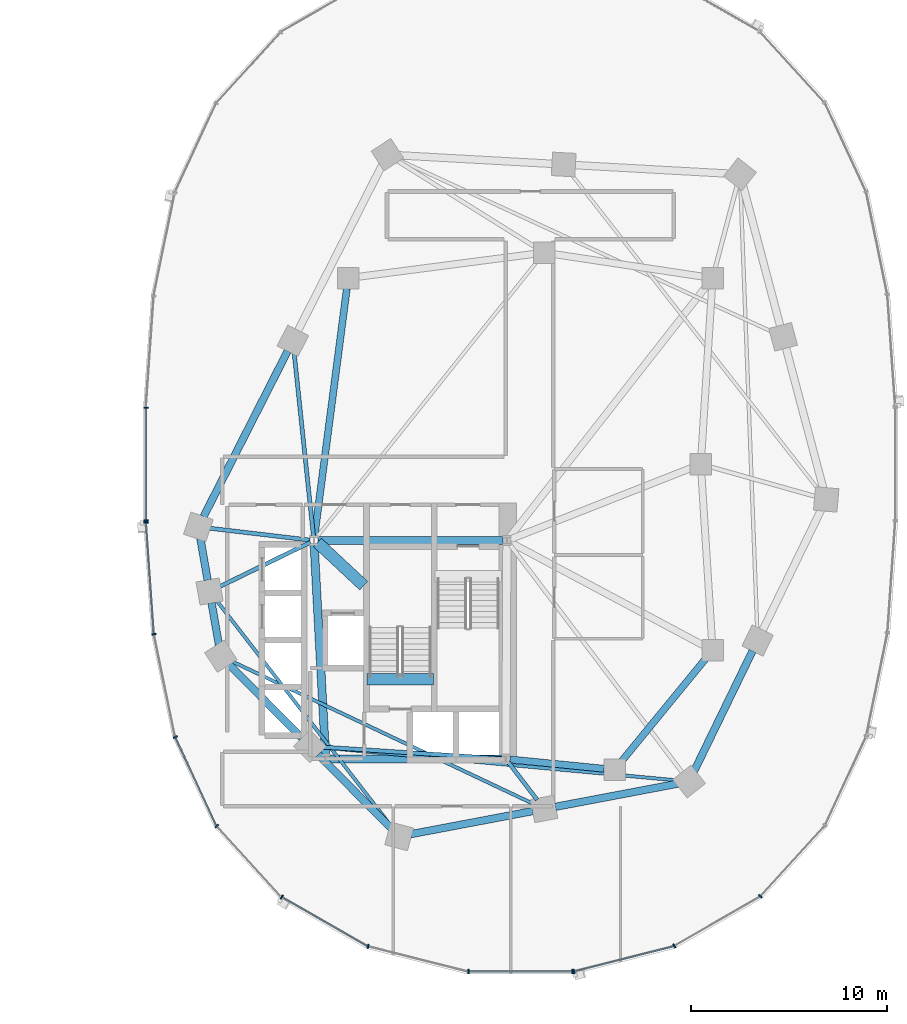
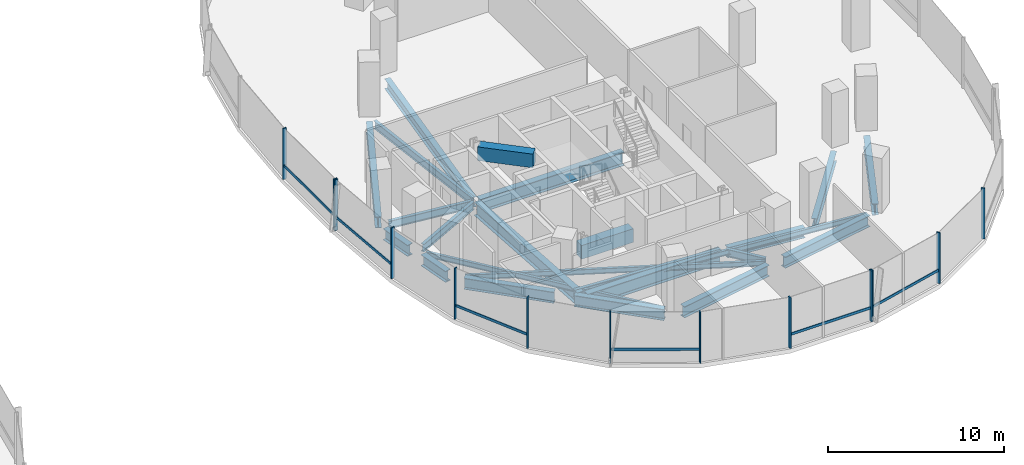
# One storey, part 5 of 21: 24 beams, 19 members, 3 elements without a shape of their own.
"""IFC4 building model written with IfcOpenShell, lengths in metres."""

from ifc_helpers import new_model, si_unit, direction, frame, origin, origin_2d, place, context, subcontext, project, spatial, rectangle, i_section, extrude, material, material_profile, profile_set, type_object, element, aggregate, save


model = new_model("IFC4")

# Units and contexts
model_context = context("Model", 3, precision=1e-05, world=origin(), true_north=direction((0.0, 1.0)))
body_context = subcontext(model_context, "Body", "Model", "MODEL_VIEW")
ifc_project = project(units=[si_unit("LENGTHUNIT", "METRE"), si_unit("AREAUNIT", "SQUARE_METRE"), si_unit("VOLUMEUNIT", "CUBIC_METRE"), si_unit("PLANEANGLEUNIT", "RADIAN"), si_unit("MASSUNIT", "GRAM", prefix="KILO"), si_unit("THERMODYNAMICTEMPERATUREUNIT", "KELVIN"), si_unit("POWERUNIT", "WATT")], contexts=[model_context])

# Site, building, storey
site_placement = place(None, origin())
site = spatial("IfcSite", under=ifc_project, at=site_placement, CompositionType="ELEMENT")
building_placement = place(site_placement, origin())
building = spatial("IfcBuilding", under=site, at=building_placement, Name="Cundina Bronze Exchange", CompositionType="ELEMENT")
storey_placement = place(building_placement, frame((0.0, 0.0, 73.39990234375)))
storey = spatial("IfcBuildingStorey", under=building, at=storey_placement, Name="L18", CompositionType="ELEMENT", Elevation=73.39990234375)

# Beams
ifc_material_1 = material(Name="Concrete C60/75", Category="concrete")
ifc_material_profile_1 = material_profile(ifc_material_1, rectangle(XDim=0.60009765625, YDim=0.949951171875, at=origin_2d()), Name="RC600X950", Category="concrete")
ifc_profile_set_1 = profile_set([ifc_material_profile_1], Name="Concrete C60/75")
beam_type_1 = type_object("IfcBeamType", Name="BM-COUP-RC950", PredefinedType="LINTEL", material=ifc_profile_set_1)
beam_1_placement = place(storey_placement, frame((24.159912109375, -10.97998046875, -0.474853515625), z_axis=(1.0, 0.0, 0.0), x_axis=(0.0, 1.0, 0.0)))
element("IfcBeam", 1, at=beam_1_placement, inside=storey, type_object=beam_type_1, Name="L18 Stair E2 Landing Header Beam", PredefinedType="LINTEL", context=body_context, shape_type="SweptSolid", body=[
    extrude(rectangle(XDim=0.60009765625, YDim=0.949951171875, at=origin_2d()), origin(), (0.0, 0.0, 1.0), 3.400146484375),
])
beam_2_placement = place(storey_placement, frame((21.6298828125, -4.0, 3.045166015625), z_axis=(0.731490439815, -0.681851696822, 0.0), x_axis=(0.681851696822, 0.731490439815, 0.0)))
element("IfcBeam", 2, at=beam_2_placement, inside=storey, type_object=beam_type_1, Name="L18 E Core Shear Coupling Lintel Beam", PredefinedType="LINTEL", context=body_context, shape_type="SweptSolid", body=[
    extrude(rectangle(XDim=0.60009765625, YDim=0.949951171875, at=origin_2d()), origin(), (0.0, 0.0, 1.0), 3.226318359375),
])
ifc_material_2 = material(Name="Steel ASTM A992 Grade 50", Category="steel")
ifc_material_profile_2 = material_profile(ifc_material_2, i_section(OverallWidth=0.2099609375, OverallDepth=0.532958984375, WebThickness=0.01025390625, FlangeThickness=0.015625, FilletRadius=0.013916015625, at=origin_2d()), Name="W21X62", Category="steel")
ifc_profile_set_2 = profile_set([ifc_material_profile_2], Name="Steel ASTM A992 Grade 50")
beam_type_2 = type_object("IfcBeamType", Name="BM-FLR-W21B", PredefinedType="BEAM", material=ifc_profile_set_2)
beam_3_placement = place(storey_placement, frame((21.247314453125, -3.8759765625, -0.56640625), z_axis=(-0.993035236117, 0.117817739878, 0.0), x_axis=(-0.117817739878, -0.993035236117, 0.0)))
element("IfcBeam", 3, at=beam_3_placement, inside=storey, type_object=beam_type_2, Name="L18 Leg E Chordal Floor Beam 00", PredefinedType="BEAM", context=body_context, shape_type="SweptSolid", body=[
    extrude(i_section(OverallWidth=0.2099609375, OverallDepth=0.532958984375, WebThickness=0.01025390625, FlangeThickness=0.015625, FilletRadius=0.013916015625, at=origin_2d()), origin(), (0.0, 0.0, 1.0), 5.1494140625),
])
beam_4_placement = place(storey_placement, frame((21.2666015625, -3.989501953125, -0.56640625), z_axis=(-0.898610249448, -0.438747785849, 0.0), x_axis=(0.438747785849, -0.898610249448, 0.0)))
element("IfcBeam", 4, at=beam_4_placement, inside=storey, type_object=beam_type_2, Name="L18 Leg E Chordal Floor Beam 01", PredefinedType="BEAM", context=body_context, shape_type="SweptSolid", body=[
    extrude(i_section(OverallWidth=0.2099609375, OverallDepth=0.532958984375, WebThickness=0.01025390625, FlangeThickness=0.015625, FilletRadius=0.013916015625, at=origin_2d()), origin(), (0.0, 0.0, 1.0), 5.1337890625),
])
beam_5_placement = place(storey_placement, frame((31.04638671875, -15.036865234375, -0.56640625), z_axis=(-0.99789233798, 0.064891307594, 0.0), x_axis=(-0.064891307594, -0.99789233798, 0.0)))
element("IfcBeam", 5, at=beam_5_placement, inside=storey, type_object=beam_type_2, Name="L18 Leg E Chordal Floor Beam 03", PredefinedType="BEAM", context=body_context, shape_type="SweptSolid", body=[
    extrude(i_section(OverallWidth=0.2099609375, OverallDepth=0.532958984375, WebThickness=0.01025390625, FlangeThickness=0.015625, FilletRadius=0.013916015625, at=origin_2d()), origin(), (0.0, 0.0, 1.0), 9.22900390625),
])
beam_6_placement = place(storey_placement, frame((31.373779296875, -15.2119140625, -0.56640625), z_axis=(0.607468844289, -0.794343504548, 0.0), x_axis=(0.794343504548, 0.607468844289, 0.0)))
element("IfcBeam", 6, at=beam_6_placement, inside=storey, type_object=beam_type_2, Name="L18 Leg E Chordal Floor Beam 05", PredefinedType="BEAM", context=body_context, shape_type="SweptSolid", body=[
    extrude(i_section(OverallWidth=0.2099609375, OverallDepth=0.532958984375, WebThickness=0.01025390625, FlangeThickness=0.015625, FilletRadius=0.013916015625, at=origin_2d()), origin(), (0.0, 0.0, 1.0), 2.418212890625),
])
beam_7_placement = place(storey_placement, frame((21.4287109375, -3.697021484375, -0.56640625), z_axis=(-0.10483517787, 0.994489610544, 0.0), x_axis=(-0.994489610544, -0.10483517787, 0.0)))
element("IfcBeam", 7, at=beam_7_placement, inside=storey, type_object=beam_type_2, Name="L18 Leg E Chordal Floor Beam 13", PredefinedType="BEAM", context=body_context, shape_type="SweptSolid", body=[
    extrude(i_section(OverallWidth=0.2099609375, OverallDepth=0.532958984375, WebThickness=0.01025390625, FlangeThickness=0.015625, FilletRadius=0.013916015625, at=origin_2d()), origin(), (0.0, 0.0, 1.0), 9.46435546875),
])
ifc_material_profile_3 = material_profile(ifc_material_2, i_section(OverallWidth=0.172119140625, OverallDepth=0.35791015625, WebThickness=0.0078125, FlangeThickness=0.01318359375, FilletRadius=0.010009765625, at=origin_2d()), Name="W14X38", Category="steel")
ifc_profile_set_3 = profile_set([ifc_material_profile_3], Name="Steel ASTM A992 Grade 50")
beam_type_3 = type_object("IfcBeamType", Name="BM-JST-W14", PredefinedType="JOIST", material=ifc_profile_set_3)
beam_8_placement = place(storey_placement, frame((16.48486328125, -6.965087890625, -0.47900390625), z_axis=(0.612089386305, -0.790788583108, 0.0), x_axis=(0.790788583108, 0.612089386305, 0.0)))
element("IfcBeam", 8, at=beam_8_placement, inside=storey, type_object=beam_type_3, Name="L18 Leg E Lobe Floor Joist 01-04", PredefinedType="JOIST", context=body_context, shape_type="SweptSolid", body=[
    extrude(i_section(OverallWidth=0.172119140625, OverallDepth=0.35791015625, WebThickness=0.0078125, FlangeThickness=0.01318359375, FilletRadius=0.010009765625, at=origin_2d()), origin(), (0.0, 0.0, 1.0), 14.630859375),
])
beam_9_placement = place(storey_placement, frame((17.231689453125, -10.05126953125, -0.47900390625), z_axis=(0.904072668297, -0.427378766949, 0.0), x_axis=(0.427378766949, 0.904072668297, 0.0)))
element("IfcBeam", 9, at=beam_9_placement, inside=storey, type_object=beam_type_3, Name="L18 Leg E Lobe Floor Joist 02-05", PredefinedType="JOIST", context=body_context, shape_type="SweptSolid", body=[
    extrude(i_section(OverallWidth=0.172119140625, OverallDepth=0.35791015625, WebThickness=0.0078125, FlangeThickness=0.01318359375, FilletRadius=0.010009765625, at=origin_2d()), origin(), (0.0, 0.0, 1.0), 17.07470703125),
])
beam_10_placement = place(storey_placement, frame((21.83544921875, -14.45458984375, -0.47900390625), z_axis=(0.995701961644, -0.09261535282, 0.0), x_axis=(0.09261535282, 0.995701961644, 0.0)))
element("IfcBeam", 10, at=beam_10_placement, inside=storey, type_object=beam_type_3, Name="L18 Leg E Lobe Floor Joist 03-06", PredefinedType="JOIST", context=body_context, shape_type="SweptSolid", body=[
    extrude(i_section(OverallWidth=0.172119140625, OverallDepth=0.35791015625, WebThickness=0.0078125, FlangeThickness=0.01318359375, FilletRadius=0.010009765625, at=origin_2d()), origin(), (0.0, 0.0, 1.0), 18.25732421875),
])
ifc_material_profile_4 = material_profile(ifc_material_2, i_section(OverallWidth=0.35498046875, OverallDepth=0.695068359375, WebThickness=0.015380859375, FlangeThickness=0.02490234375, FilletRadius=0.01806640625, at=origin_2d()), Name="W27X146", Category="steel")
ifc_profile_set_4 = profile_set([ifc_material_profile_4], Name="Steel ASTM A992 Grade 50")
beam_type_4 = type_object("IfcBeamType", Name="BM-RING-W27", PredefinedType="USERDEFINED", material=ifc_profile_set_4)
beam_11_placement = place(storey_placement, frame((31.452880859375, -15.070068359375, -0.6474609375), z_axis=(0.995126271817, -0.098608839051, 0.0), x_axis=(0.098608839051, 0.995126271817, 0.0)))
element("IfcBeam", 11, at=beam_11_placement, inside=storey, type_object=beam_type_4, Name="L18 E Inner Structural Ring Girder 01", ObjectType="GIRDER", PredefinedType="USERDEFINED", context=body_context, shape_type="SweptSolid", body=[
    extrude(i_section(OverallWidth=0.35498046875, OverallDepth=0.695068359375, WebThickness=0.015380859375, FlangeThickness=0.02490234375, FilletRadius=0.01806640625, at=origin_2d()), origin(), (0.0, 0.0, 1.0), 4.83544921875),
])
beam_12_placement = place(storey_placement, frame((37.14111328125, -15.183837890625, -0.6474609375), z_axis=(0.633926549035, 0.773393257295, 0.0), x_axis=(-0.773393257295, 0.633926549035, 0.0)))
element("IfcBeam", 12, at=beam_12_placement, inside=storey, type_object=beam_type_4, Name="L18 E Inner Structural Ring Girder 02", ObjectType="GIRDER", PredefinedType="USERDEFINED", context=body_context, shape_type="SweptSolid", body=[
    extrude(i_section(OverallWidth=0.35498046875, OverallDepth=0.695068359375, WebThickness=0.015380859375, FlangeThickness=0.02490234375, FilletRadius=0.01806640625, at=origin_2d()), origin(), (0.0, 0.0, 1.0), 6.811279296875),
])
beam_13_placement = place(storey_placement, frame((23.13037109375, 8.966552734375, -0.6474609375), z_axis=(-0.129507526533, -0.99157843894, 0.0), x_axis=(0.99157843894, -0.129507526533, 0.0)))
element("IfcBeam", 13, at=beam_13_placement, inside=storey, type_object=beam_type_4, Name="L18 E Inner Structural Ring Girder 07", ObjectType="GIRDER", PredefinedType="USERDEFINED", context=body_context, shape_type="SweptSolid", body=[
    extrude(i_section(OverallWidth=0.35498046875, OverallDepth=0.695068359375, WebThickness=0.015380859375, FlangeThickness=0.02490234375, FilletRadius=0.01806640625, at=origin_2d()), origin(), (0.0, 0.0, 1.0), 12.77197265625),
])
ifc_material_profile_5 = material_profile(ifc_material_2, i_section(OverallWidth=0.381103515625, OverallDepth=0.77294921875, WebThickness=0.0166015625, FlangeThickness=0.027099609375, FilletRadius=0.01904296875, at=origin_2d()), Name="W30X173", Category="steel")
ifc_profile_set_5 = profile_set([ifc_material_profile_5], Name="Steel ASTM A992 Grade 50")
beam_type_5 = type_object("IfcBeamType", Name="BM-RING-W30", PredefinedType="USERDEFINED", material=ifc_profile_set_5)
for number, where, z_axis, x_axis, name in (
    (14, (15.65087890625, -3.779296875, -0.6865234375), (0.171734584051, -0.985143254883, 0.0), (0.985143254883, 0.171734584051, 0.0), "L18 E Perimeter Ring Girder 00"),
    (15, (16.225830078125, -7.079345703125, -0.6865234375), (0.171734584051, -0.985143254883, 0.0), (0.985143254883, 0.171734584051, 0.0), "L18 E Perimeter Ring Girder 01"),
):
    element("IfcBeam", number, at=place(storey_placement, frame(where, z_axis=z_axis, x_axis=x_axis)), inside=storey, type_object=beam_type_5, Name=name, ObjectType="GIRDER", PredefinedType="USERDEFINED", context=body_context, shape_type="SweptSolid", body=[
        extrude(i_section(OverallWidth=0.381103515625, OverallDepth=0.77294921875, WebThickness=0.0166015625, FlangeThickness=0.027099609375, FilletRadius=0.01904296875, at=origin_2d()), origin(), (0.0, 0.0, 1.0), 2.173583984375),
    ])
for number, where, z_axis, x_axis, name in (
    (16, (17.113525390625, -10.218017578125, -0.6865234375), (0.703222428859, -0.710969911845, 0.0), (0.710969911845, 0.703222428859, 0.0), "L18 E Perimeter Ring Girder 02"),
    (17, (21.66357421875, -14.818115234375, -0.6865234375), (0.703222428859, -0.710969911845, 0.0), (0.710969911845, 0.703222428859, 0.0), "L18 E Perimeter Ring Girder 03"),
):
    element("IfcBeam", number, at=place(storey_placement, frame(where, z_axis=z_axis, x_axis=x_axis)), inside=storey, type_object=beam_type_5, Name=name, ObjectType="GIRDER", PredefinedType="USERDEFINED", context=body_context, shape_type="SweptSolid", body=[
        extrude(i_section(OverallWidth=0.381103515625, OverallDepth=0.77294921875, WebThickness=0.0166015625, FlangeThickness=0.027099609375, FilletRadius=0.01904296875, at=origin_2d()), origin(), (0.0, 0.0, 1.0), 5.2939453125),
    ])
beam_14_placement = place(storey_placement, frame((26.377685546875, -18.890625, -0.6865234375), z_axis=(0.982570814598, 0.185888661031, 0.0), x_axis=(-0.185888661031, 0.982570814598, 0.0)))
element("IfcBeam", 18, at=beam_14_placement, inside=storey, type_object=beam_type_5, Name="L18 E Perimeter Ring Girder 04", ObjectType="GIRDER", PredefinedType="USERDEFINED", context=body_context, shape_type="SweptSolid", body=[
    extrude(i_section(OverallWidth=0.381103515625, OverallDepth=0.77294921875, WebThickness=0.0166015625, FlangeThickness=0.027099609375, FilletRadius=0.01904296875, at=origin_2d()), origin(), (0.0, 0.0, 1.0), 6.35546875),
])
beam_15_placement = place(storey_placement, frame((33.77783203125, -17.49072265625, -0.6865234375), z_axis=(0.982569487119, 0.185895677686, 0.0), x_axis=(-0.185895677686, 0.982569487119, 0.0)))
element("IfcBeam", 19, at=beam_15_placement, inside=storey, type_object=beam_type_5, Name="L18 E Perimeter Ring Girder 05", ObjectType="GIRDER", PredefinedType="USERDEFINED", context=body_context, shape_type="SweptSolid", body=[
    extrude(i_section(OverallWidth=0.381103515625, OverallDepth=0.77294921875, WebThickness=0.0166015625, FlangeThickness=0.027099609375, FilletRadius=0.01904296875, at=origin_2d()), origin(), (0.0, 0.0, 1.0), 6.355224609375),
])
beam_16_placement = place(storey_placement, frame((40.857177734375, -15.671142578125, -0.6865234375), z_axis=(0.437190698904, 0.899368830231, 0.0), x_axis=(-0.899368830231, 0.437190698904, 0.0)))
element("IfcBeam", 20, at=beam_16_placement, inside=storey, type_object=beam_type_5, Name="L18 E Perimeter Ring Girder 06", ObjectType="GIRDER", PredefinedType="USERDEFINED", context=body_context, shape_type="SweptSolid", body=[
    extrude(i_section(OverallWidth=0.381103515625, OverallDepth=0.77294921875, WebThickness=0.0166015625, FlangeThickness=0.027099609375, FilletRadius=0.01904296875, at=origin_2d()), origin(), (0.0, 0.0, 1.0), 6.82958984375),
])
beam_17_placement = place(storey_placement, frame((20.108642578125, 5.775634765625, -0.6865234375), z_axis=(-0.452819633606, -0.891602141889, 0.0), x_axis=(0.891602141889, -0.452819633606, 0.0)))
element("IfcBeam", 21, at=beam_17_placement, inside=storey, type_object=beam_type_5, Name="L18 E Perimeter Ring Girder 13", ObjectType="GIRDER", PredefinedType="USERDEFINED", context=body_context, shape_type="SweptSolid", body=[
    extrude(i_section(OverallWidth=0.381103515625, OverallDepth=0.77294921875, WebThickness=0.0166015625, FlangeThickness=0.027099609375, FilletRadius=0.01904296875, at=origin_2d()), origin(), (0.0, 0.0, 1.0), 9.47900390625),
])
ifc_material_profile_6 = material_profile(ifc_material_2, i_section(OverallWidth=0.41796875, OverallDepth=0.927001953125, WebThickness=0.019287109375, FlangeThickness=0.031982421875, FilletRadius=0.02392578125, at=origin_2d()), Name="W36X231", Category="steel")
ifc_profile_set_6 = profile_set([ifc_material_profile_6], Name="Steel ASTM A992 Grade 50")
beam_type_6 = type_object("IfcBeamType", Name="BM-WRN-W36B", PredefinedType="USERDEFINED", material=ifc_profile_set_6)
beam_18_placement = place(storey_placement, frame((31.095947265625, -3.89990234375, -0.763427734375), z_axis=(-1.0, 0.0, 0.0), x_axis=(0.0, -1.0, 0.0)))
element("IfcBeam", 22, at=beam_18_placement, inside=storey, type_object=beam_type_6, Name="L18 E Core Perimeter Tie Girder 1", ObjectType="GIRDER", PredefinedType="USERDEFINED", context=body_context, shape_type="SweptSolid", body=[
    extrude(i_section(OverallWidth=0.41796875, OverallDepth=0.927001953125, WebThickness=0.019287109375, FlangeThickness=0.031982421875, FilletRadius=0.02392578125, at=origin_2d()), origin(), (0.0, 0.0, 1.0), 9.44189453125),
])
beam_19_placement = place(storey_placement, frame((21.4609375, -4.103759765625, -0.763427734375), z_axis=(0.053739193498, -0.998555005537, 0.0), x_axis=(0.998555005537, 0.053739193498, 0.0)))
element("IfcBeam", 23, at=beam_19_placement, inside=storey, type_object=beam_type_6, Name="L18 E Core Perimeter Tie Girder 2", ObjectType="GIRDER", PredefinedType="USERDEFINED", context=body_context, shape_type="SweptSolid", body=[
    extrude(i_section(OverallWidth=0.41796875, OverallDepth=0.927001953125, WebThickness=0.019287109375, FlangeThickness=0.031982421875, FilletRadius=0.02392578125, at=origin_2d()), origin(), (0.0, 0.0, 1.0), 10.758056640625),
])
beam_20_placement = place(storey_placement, frame((22.25390625, -15.050048828125, -0.763427734375), z_axis=(1.0, 0.0, 0.0), x_axis=(0.0, 1.0, 0.0)))
element("IfcBeam", 24, at=beam_20_placement, inside=storey, type_object=beam_type_6, Name="L18 E Core Perimeter Tie Girder 3", ObjectType="GIRDER", PredefinedType="USERDEFINED", context=body_context, shape_type="SweptSolid", body=[
    extrude(i_section(OverallWidth=0.41796875, OverallDepth=0.927001953125, WebThickness=0.019287109375, FlangeThickness=0.031982421875, FilletRadius=0.02392578125, at=origin_2d()), origin(), (0.0, 0.0, 1.0), 8.7919921875),
])

# Curtain wall, members
ifc_material_3 = material(Name="Anodised Bronze Aluminium 6063-T6", Category="aluminium")
curtain_wall_type = type_object("IfcCurtainWallType", Name="CWS-TRD-LOW", PredefinedType="NOTDEFINED", material=ifc_material_3)
curtain_wall_1_placement = place(storey_placement, origin())
curtain_wall_1 = element("IfcCurtainWall", 25, at=curtain_wall_1_placement, inside=storey, type_object=curtain_wall_type, Name="L18 CW-02 Curtain Wall Run CWR-L18-E2", PredefinedType="NOTDEFINED")
ifc_material_profile_7 = material_profile(ifc_material_3, rectangle(XDim=0.074951171875, YDim=0.219970703125, at=origin_2d()), Name="AL75X220", Category="aluminium")
ifc_profile_set_7 = profile_set([ifc_material_profile_7], Name="Anodised Bronze Aluminium 6063-T6")
member_type_1 = type_object("IfcMemberType", Name="CWM-MUL-220", PredefinedType="MULLION", material=ifc_profile_set_7)
member_1_placement = place(storey_placement, frame((12.8720703125, 2.880615234375, 0.0), z_axis=(0.0, 0.0, 1.0), x_axis=(0.0, -1.0, 0.0)))
member_1 = element("IfcMember", 26, at=member_1_placement, type_object=member_type_1, Name="CW-02 Mullion 7", PredefinedType="MULLION", context=body_context, shape_type="SweptSolid", body=[
    extrude(rectangle(XDim=0.074951171875, YDim=0.219970703125, at=origin_2d()), origin(), (0.0, 0.0, 1.0), 3.52001953125),
])
member_2_placement = place(storey_placement, frame((12.8720703125, -2.880615234375, 0.0), z_axis=(0.0, 0.0, 1.0), x_axis=(0.0, -1.0, 0.0)))
member_2 = element("IfcMember", 27, at=member_2_placement, type_object=member_type_1, Name="CW-02 End Mullion", PredefinedType="MULLION", context=body_context, shape_type="SweptSolid", body=[
    extrude(rectangle(XDim=0.074951171875, YDim=0.219970703125, at=origin_2d()), origin(), (0.0, 0.0, 1.0), 3.52001953125),
])

curtain_wall_2_placement = place(storey_placement, origin())
curtain_wall_2 = element("IfcCurtainWall", 28, at=curtain_wall_2_placement, inside=storey, type_object=curtain_wall_type, Name="L18 CW-02 Curtain Wall Run CWR-L18-E3", PredefinedType="NOTDEFINED")
member_3_placement = place(storey_placement, frame((12.87548828125, -2.976318359375, 0.0), z_axis=(0.0, 0.0, 1.0), x_axis=(0.070278787473, -0.997527389113, 0.0)))
member_3 = element("IfcMember", 29, at=member_3_placement, type_object=member_type_1, Name="CW-02 Mullion 1", PredefinedType="MULLION", context=body_context, shape_type="SweptSolid", body=[
    extrude(rectangle(XDim=0.074951171875, YDim=0.219970703125, at=origin_2d()), origin(), (0.0, 0.0, 1.0), 3.52001953125),
])
member_4_placement = place(storey_placement, frame((13.282958984375, -8.67822265625, 0.0), z_axis=(0.0, 0.0, 1.0), x_axis=(0.201419845156, -0.979505000486, 0.0)))
member_4 = element("IfcMember", 30, at=member_4_placement, type_object=member_type_1, Name="CW-02 Mullion 2", PredefinedType="MULLION", context=body_context, shape_type="SweptSolid", body=[
    extrude(rectangle(XDim=0.074951171875, YDim=0.219970703125, at=origin_2d()), origin(), (0.0, 0.0, 1.0), 3.52001953125),
])
member_5_placement = place(storey_placement, frame((14.3720703125, -13.931884765625, 0.0), z_axis=(0.0, 0.0, 1.0), x_axis=(0.42087749791, -0.907117485088, 0.0)))
member_5 = element("IfcMember", 31, at=member_5_placement, type_object=member_type_1, Name="CW-02 Mullion 3", PredefinedType="MULLION", context=body_context, shape_type="SweptSolid", body=[
    extrude(rectangle(XDim=0.074951171875, YDim=0.219970703125, at=origin_2d()), origin(), (0.0, 0.0, 1.0), 3.52001953125),
])
member_6_placement = place(storey_placement, frame((16.491455078125, -18.47705078125, 0.0), z_axis=(0.0, 0.0, 1.0), x_axis=(0.674302387584, -0.738455340626, 0.0)))
member_6 = element("IfcMember", 32, at=member_6_placement, type_object=member_type_1, Name="CW-02 Mullion 4", PredefinedType="MULLION", context=body_context, shape_type="SweptSolid", body=[
    extrude(rectangle(XDim=0.074951171875, YDim=0.219970703125, at=origin_2d()), origin(), (0.0, 0.0, 1.0), 3.52001953125),
])
member_7_placement = place(storey_placement, frame((19.810302734375, -22.097412109375, 0.0), z_axis=(0.0, 0.0, 1.0), x_axis=(0.867070701164, -0.498185105339, 0.0)))
member_7 = element("IfcMember", 33, at=member_7_placement, type_object=member_type_1, Name="CW-02 Mullion 5", PredefinedType="MULLION", context=body_context, shape_type="SweptSolid", body=[
    extrude(rectangle(XDim=0.074951171875, YDim=0.219970703125, at=origin_2d()), origin(), (0.0, 0.0, 1.0), 3.52001953125),
])
member_8_placement = place(storey_placement, frame((24.21484375, -24.61669921875, 0.0), z_axis=(0.0, 0.0, 1.0), x_axis=(0.969488149345, -0.245138182011, 0.0)))
member_8 = element("IfcMember", 34, at=member_8_placement, type_object=member_type_1, Name="CW-02 Mullion 6", PredefinedType="MULLION", context=body_context, shape_type="SweptSolid", body=[
    extrude(rectangle(XDim=0.074951171875, YDim=0.219970703125, at=origin_2d()), origin(), (0.0, 0.0, 1.0), 3.52001953125),
])
member_9_placement = place(storey_placement, frame((29.345458984375, -25.905029296875, 0.0), z_axis=(0.0, 0.0, 1.0), x_axis=(1.0, 0.0, 0.0)))
member_9 = element("IfcMember", 35, at=member_9_placement, type_object=member_type_1, Name="CW-02 Mullion 7", PredefinedType="MULLION", context=body_context, shape_type="SweptSolid", body=[
    extrude(rectangle(XDim=0.074951171875, YDim=0.219970703125, at=origin_2d()), origin(), (0.0, 0.0, 1.0), 3.52001953125),
])
member_10_placement = place(storey_placement, frame((34.654541015625, -25.905029296875, 0.0), z_axis=(0.0, 0.0, 1.0), x_axis=(1.0, 0.0, 0.0)))
member_10 = element("IfcMember", 36, at=member_10_placement, type_object=member_type_1, Name="CW-02 End Mullion", PredefinedType="MULLION", context=body_context, shape_type="SweptSolid", body=[
    extrude(rectangle(XDim=0.074951171875, YDim=0.219970703125, at=origin_2d()), origin(), (0.0, 0.0, 1.0), 3.52001953125),
])

curtain_wall_3_placement = place(storey_placement, origin())
curtain_wall_3 = element("IfcCurtainWall", 37, at=curtain_wall_3_placement, inside=storey, type_object=curtain_wall_type, Name="L18 CW-02 Curtain Wall Run CWR-L18-E4", PredefinedType="NOTDEFINED")
member_11_placement = place(storey_placement, frame((34.72607421875, -25.89599609375, 0.0), z_axis=(0.0, 0.0, 1.0), x_axis=(0.969488149345, 0.245138182011, 0.0)))
member_11 = element("IfcMember", 38, at=member_11_placement, type_object=member_type_1, Name="CW-02 Mullion 1", PredefinedType="MULLION", context=body_context, shape_type="SweptSolid", body=[
    extrude(rectangle(XDim=0.074951171875, YDim=0.219970703125, at=origin_2d()), origin(), (0.0, 0.0, 1.0), 3.52001953125),
])
member_12_placement = place(storey_placement, frame((39.848876953125, -24.591064453125, 0.0), z_axis=(0.0, 0.0, 1.0), x_axis=(0.867070701164, 0.498185105339, 0.0)))
member_12 = element("IfcMember", 39, at=member_12_placement, type_object=member_type_1, Name="CW-02 Mullion 2", PredefinedType="MULLION", context=body_context, shape_type="SweptSolid", body=[
    extrude(rectangle(XDim=0.074951171875, YDim=0.219970703125, at=origin_2d()), origin(), (0.0, 0.0, 1.0), 3.52001953125),
])
member_13_placement = place(storey_placement, frame((44.239501953125, -22.0576171875, 0.0), z_axis=(0.0, 0.0, 1.0), x_axis=(0.674302387584, 0.738455340626, 0.0)))
member_13 = element("IfcMember", 40, at=member_13_placement, type_object=member_type_1, Name="CW-02 Mullion 3", PredefinedType="MULLION", context=body_context, shape_type="SweptSolid", body=[
    extrude(rectangle(XDim=0.074951171875, YDim=0.219970703125, at=origin_2d()), origin(), (0.0, 0.0, 1.0), 3.52001953125),
])

# Member
ifc_material_profile_8 = material_profile(ifc_material_3, rectangle(XDim=0.070068359375, YDim=0.179931640625, at=origin_2d()), Name="AL70X180", Category="aluminium")
ifc_profile_set_8 = profile_set([ifc_material_profile_8], Name="Anodised Bronze Aluminium 6063-T6")
member_type_2 = type_object("IfcMemberType", Name="CWM-TRN-180", PredefinedType="USERDEFINED", material=ifc_profile_set_8)
member_14_placement = place(storey_placement, frame((12.8720703125, 2.839111328125, 0.920166015625), z_axis=(0.0, -1.0, 0.0), x_axis=(1.0, 0.0, 0.0)))
member_14 = element("IfcMember", 41, at=member_14_placement, type_object=member_type_2, Name="CW-02 Spandrel Transom 7", ObjectType="TRANSOM", PredefinedType="USERDEFINED", context=body_context, shape_type="SweptSolid", body=[
    extrude(rectangle(XDim=0.070068359375, YDim=0.179931640625, at=origin_2d()), origin(), (0.0, 0.0, 1.0), 5.67822265625),
])

aggregate(curtain_wall_1, [member_1, member_2, member_14])

member_15_placement = place(storey_placement, frame((12.87841796875, -3.017333984375, 0.920166015625), z_axis=(0.070260714471, -0.997528662246, 0.0), x_axis=(0.997528662246, 0.070260714471, 0.0)))
member_15 = element("IfcMember", 42, at=member_15_placement, type_object=member_type_2, Name="CW-02 Spandrel Transom 1", ObjectType="TRANSOM", PredefinedType="USERDEFINED", context=body_context, shape_type="SweptSolid", body=[
    extrude(rectangle(XDim=0.070068359375, YDim=0.179931640625, at=origin_2d()), origin(), (0.0, 0.0, 1.0), 5.629150390625),
])

member_16_placement = place(storey_placement, frame((14.389404296875, -13.96923828125, 0.920166015625), z_axis=(0.420811422796, -0.907148139195, 0.0), x_axis=(0.907148139195, 0.420811422796, 0.0)))
member_16 = element("IfcMember", 43, at=member_16_placement, type_object=member_type_2, Name="CW-02 Spandrel Transom 3", ObjectType="TRANSOM", PredefinedType="USERDEFINED", context=body_context, shape_type="SweptSolid", body=[
    extrude(rectangle(XDim=0.070068359375, YDim=0.179931640625, at=origin_2d()), origin(), (0.0, 0.0, 1.0), 4.95166015625),
])

member_17_placement = place(storey_placement, frame((19.845947265625, -22.117919921875, 0.920166015625), z_axis=(0.867097475651, -0.498138502546, 0.0), x_axis=(0.498138502546, 0.867097475651, 0.0)))
member_17 = element("IfcMember", 44, at=member_17_placement, type_object=member_type_2, Name="CW-02 Spandrel Transom 5", ObjectType="TRANSOM", PredefinedType="USERDEFINED", context=body_context, shape_type="SweptSolid", body=[
    extrude(rectangle(XDim=0.070068359375, YDim=0.179931640625, at=origin_2d()), origin(), (0.0, 0.0, 1.0), 5.00634765625),
])

member_18_placement = place(storey_placement, frame((29.38671875, -25.905029296875, 0.920166015625), z_axis=(1.0, 0.0, 0.0), x_axis=(0.0, 1.0, 0.0)))
member_18 = element("IfcMember", 45, at=member_18_placement, type_object=member_type_2, Name="CW-02 Spandrel Transom 7", ObjectType="TRANSOM", PredefinedType="USERDEFINED", context=body_context, shape_type="SweptSolid", body=[
    extrude(rectangle(XDim=0.070068359375, YDim=0.179931640625, at=origin_2d()), origin(), (0.0, 0.0, 1.0), 5.2265625),
])

aggregate(curtain_wall_2, [member_3, member_15, member_4, member_5, member_16, member_6, member_7, member_17, member_8, member_9, member_10, member_18])

member_19_placement = place(storey_placement, frame((34.76611328125, -25.885986328125, 0.920166015625), z_axis=(0.969483968866, 0.245154714644, 0.0), x_axis=(-0.245154714644, 0.969483968866, 0.0)))
member_19 = element("IfcMember", 46, at=member_19_placement, type_object=member_type_2, Name="CW-02 Spandrel Transom 1", ObjectType="TRANSOM", PredefinedType="USERDEFINED", context=body_context, shape_type="SweptSolid", body=[
    extrude(rectangle(XDim=0.070068359375, YDim=0.179931640625, at=origin_2d()), origin(), (0.0, 0.0, 1.0), 5.21826171875),
])

aggregate(curtain_wall_3, [member_11, member_19, member_12, member_13])

save(model, "model.ifc")
